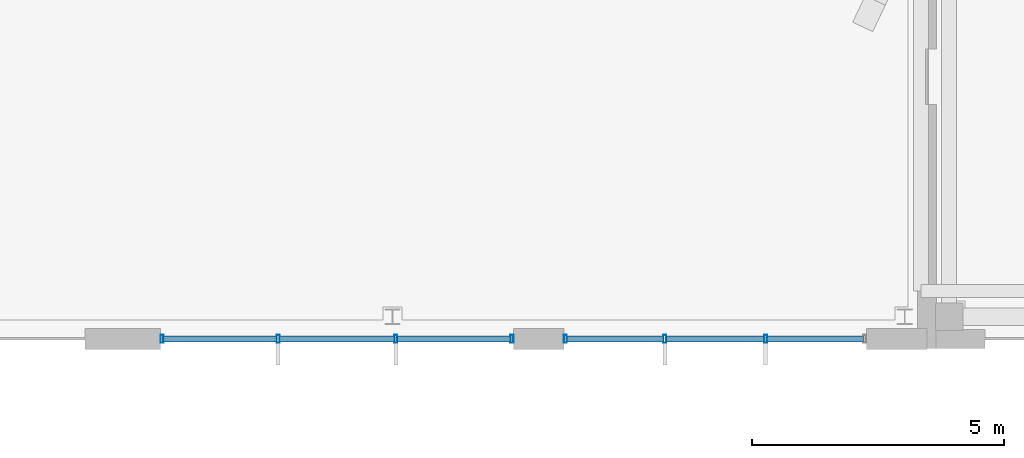
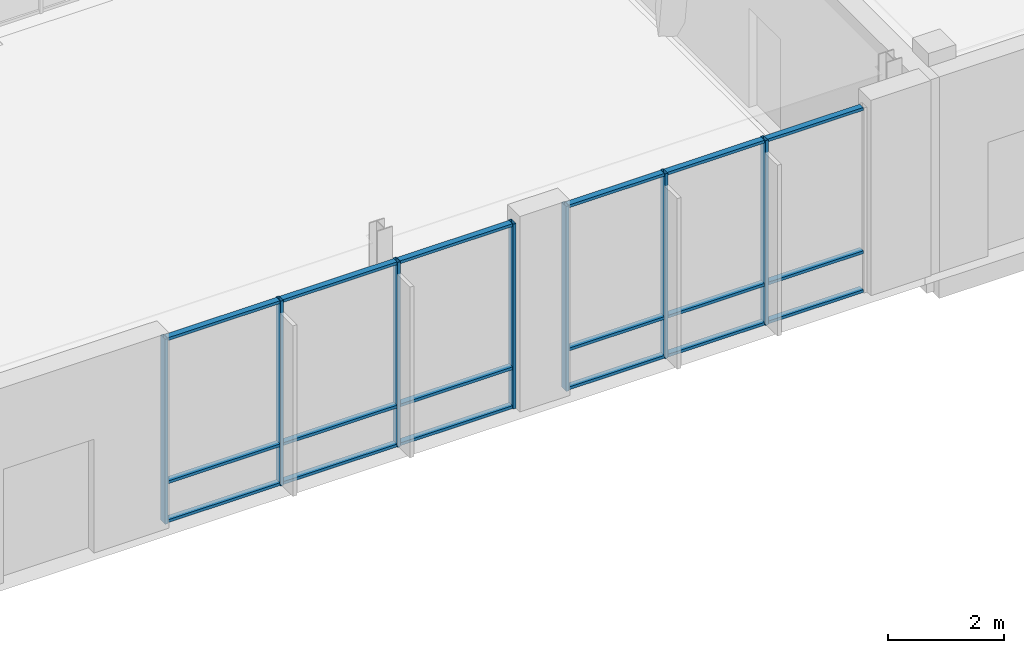
# One storey, part 70 of 233: 25 members, 2 elements without a shape of their own.
"""IFC4 building model written with IfcOpenShell, lengths in metres."""

import ifcopenshell
import ifcopenshell.guid

model = None  # the IFC model being written
_history = None  # IfcOwnerHistory: only IFC2X3 demands one
_inside = {}  # id of a spatial element -> (the spatial element, [elements in it])
_under = {}  # id of a project, library or spatial element -> (it, [spatial elements below it])
_declared = {}  # id of a project -> (the project, [libraries it declares])
_typed = {}  # id of a type object -> (the type object, [elements of that type])
_made_of = {}  # id of a material, layer set ... -> (it, [elements and type objects made of it])


def new_model(schema):
    """Start an empty IFC model of exactly this schema.

    Asked for "IFC4X3", IfcOpenShell would pick the latest addendum, in which some entities
    have other attributes; the version numbers below select the first issue.
    IFC2X3 requires an IfcOwnerHistory on every rooted entity: one is made here for all.
    """
    global model, _history
    if schema == "IFC4X3":
        model = ifcopenshell.file(schema_version=(4, 3, 0, 0))
    else:
        model = ifcopenshell.file(schema=schema)
    _inside.clear()
    _under.clear()
    _declared.clear()
    _typed.clear()
    _made_of.clear()
    _history = None
    if model.schema == "IFC2X3":
        org = make("IfcOrganization", Name="unknown")
        user = make(
            "IfcPersonAndOrganization",
            ThePerson=make("IfcPerson", FamilyName="unknown"),
            TheOrganization=org,
        )
        app = make(
            "IfcApplication",
            ApplicationDeveloper=org,
            Version="unknown",
            ApplicationFullName="unknown",
            ApplicationIdentifier="unknown",
        )
        _history = make(
            "IfcOwnerHistory",
            OwningUser=user,
            OwningApplication=app,
            ChangeAction="ADDED",
            CreationDate=0,
        )
    return model


def make(cls, **values):
    """One entity of the class cls with the attributes given. An attribute that is None is left unset."""
    return model.create_entity(
        cls, **{name: value for name, value in values.items() if value is not None}
    )


def rooted(cls, **values):
    """An entity with a GlobalId (a new one), such as an element, a storey or a relation."""
    return make(cls, GlobalId=ifcopenshell.guid.new(), OwnerHistory=_history, **values)


def si_unit(unit_type, name, prefix=None):
    """IfcSIUnit, for example si_unit("LENGTHUNIT", "METRE", prefix="MILLI")."""
    return make("IfcSIUnit", UnitType=unit_type, Prefix=prefix, Name=name)


def assignment(units):
    """IfcUnitAssignment: the units of a project."""
    return None if units is None else make("IfcUnitAssignment", Units=units)


def point(xyz):
    """IfcCartesianPoint."""
    return None if xyz is None else make("IfcCartesianPoint", Coordinates=xyz)


def direction(xyz):
    """IfcDirection."""
    return None if xyz is None else make("IfcDirection", DirectionRatios=xyz)


def frame(location, z_axis=None, x_axis=None):
    """IfcAxis2Placement3D, a coordinate frame: its origin and axes. An axis left out is left unset."""
    return make(
        "IfcAxis2Placement3D",
        Location=point(location),
        Axis=direction(z_axis),
        RefDirection=direction(x_axis),
    )


def frame_2d(location, x_axis=None):
    """IfcAxis2Placement2D, a coordinate frame in the plane: its origin and x axis."""
    return make(
        "IfcAxis2Placement2D", Location=point(location), RefDirection=direction(x_axis)
    )


def origin():
    """The frame at (0, 0, 0) with its axes left unset."""
    return frame((0.0, 0.0, 0.0))


def origin_2d():
    """The frame at (0, 0) in the plane with its x axis left unset."""
    return frame_2d((0.0, 0.0))


def place(relative_to, where):
    """IfcLocalPlacement: puts the frame where relative to a parent placement (None: the world)."""
    return make(
        "IfcLocalPlacement", PlacementRelTo=relative_to, RelativePlacement=where
    )


def context(
    kind, dimensions, precision=None, world=None, true_north=None, identifier=None
):
    """IfcGeometricRepresentationContext, for example the 3D "Model" context."""
    return make(
        "IfcGeometricRepresentationContext",
        ContextIdentifier=identifier,
        ContextType=kind,
        CoordinateSpaceDimension=dimensions,
        Precision=precision,
        WorldCoordinateSystem=world,
        TrueNorth=true_north,
    )


def subcontext(parent, identifier, kind, view, scale=None):
    """IfcGeometricRepresentationSubContext, for example "Body" below "Model"."""
    return make(
        "IfcGeometricRepresentationSubContext",
        ContextIdentifier=identifier,
        ContextType=kind,
        ParentContext=parent,
        TargetScale=scale,
        TargetView=view,
    )


def project(units=None, contexts=None):
    """IfcProject with its units and contexts."""
    return rooted(
        "IfcProject",
        Name="project",
        RepresentationContexts=contexts,
        UnitsInContext=assignment(units),
    )


def spatial(cls, under=None, at=None, **own):
    """A site, building, storey or space (cls), placed at a placement, below another one or the project."""
    s = rooted(cls, ObjectPlacement=at, **own)
    if under is not None:
        _under.setdefault(under.id(), (under, []))[1].append(s)
    return s


def profile(cls, at=None, kind="AREA", **sizes):
    """A parametric profile (cls). Its sizes go by their IFC names, for example OverallWidth=200.0."""
    return make(cls, ProfileType=kind, Position=at, **sizes)


def hollow_rectangle(**sizes):
    """IfcRectangleHollowProfileDef."""
    return profile("IfcRectangleHollowProfileDef", **sizes)


def extrude(swept, where, along, depth):
    """IfcExtrudedAreaSolid: the profile swept, set in the frame where, extruded along a direction by depth."""
    return make(
        "IfcExtrudedAreaSolid",
        SweptArea=swept,
        Position=where,
        ExtrudedDirection=direction(along),
        Depth=depth,
    )


def shape(context_of_items, identifier, shape_type, items):
    """IfcShapeRepresentation: the items that make up one representation, for example the "Body"."""
    return make(
        "IfcShapeRepresentation",
        ContextOfItems=context_of_items,
        RepresentationIdentifier=identifier,
        RepresentationType=shape_type,
        Items=items,
    )


def material(Name=None, Category=None):
    """IfcMaterial."""
    return make("IfcMaterial", Name=Name, Category=Category)


def material_profile(
    of_material, cross_section, Name=None, Category=None, Priority=None
):
    """IfcMaterialProfile: a cross section and its material."""
    return make(
        "IfcMaterialProfile",
        Name=Name,
        Material=of_material,
        Profile=cross_section,
        Priority=Priority,
        Category=Category,
    )


def profile_set(profiles, Name=None, composite=None):
    """IfcMaterialProfileSet."""
    return make(
        "IfcMaterialProfileSet",
        Name=Name,
        MaterialProfiles=profiles,
        CompositeProfile=composite,
    )


def made_of(thing, what):
    """Note that an element or type object is made of a material, layer set ...; save() writes the relation."""
    if what is not None:
        _made_of.setdefault(what.id(), (what, []))[1].append(thing)
    return thing


def type_object(cls, material=None, **own):
    """A type object (cls), such as IfcWallType, which elements share."""
    return made_of(rooted(cls, **own), material)


def element(
    cls,
    number,
    at=None,
    inside=None,
    cuts=None,
    type_object=None,
    material=None,
    context=None,
    identifier="Body",
    shape_type=None,
    held_by="IfcProductDefinitionShape",
    body=None,
    shapes=None,
    **own,
):
    """One element of the class cls, such as IfcWall. Its Tag is "e" and its number.

    at: its placement. inside: the storey or other place that contains it. cuts: it is an
    opening in that element (IfcRelVoidsElement). A single representation is given by context,
    identifier, shape_type and body (its items); several are given by shapes. held_by: the class
    of the entity that holds the representations. save() writes the other relations.
    """
    e = rooted(cls, Tag="e%d" % number, ObjectPlacement=at, **own)
    if body is not None:
        shapes = [shape(context, identifier, shape_type, body)]
    if shapes is not None:
        e.Representation = make(held_by, Representations=shapes)
    if inside is not None:
        _inside.setdefault(inside.id(), (inside, []))[1].append(e)
    if cuts is not None:
        rooted(
            "IfcRelVoidsElement", RelatingBuildingElement=cuts, RelatedOpeningElement=e
        )
    if type_object is not None:
        _typed.setdefault(type_object.id(), (type_object, []))[1].append(e)
    return made_of(e, material)


def aggregate(whole, parts):
    """IfcRelAggregates: a whole, such as a stair, and the parts it consists of."""
    return rooted("IfcRelAggregates", RelatingObject=whole, RelatedObjects=parts)


def save(model, path):
    """Write the relations noted so far, then the file.

    IfcRelAggregates (storeys below a building ...), IfcRelContainedInSpatialStructure (elements
    in a storey), IfcRelDefinesByType, IfcRelAssociatesMaterial and IfcRelDeclares: one each for
    every whole, place, type object, material and project.
    """
    for whole, parts in _under.values():
        aggregate(whole, parts)
    for where, things in _inside.values():
        rooted(
            "IfcRelContainedInSpatialStructure",
            RelatedElements=things,
            RelatingStructure=where,
        )
    for kind, things in _typed.values():
        rooted("IfcRelDefinesByType", RelatedObjects=things, RelatingType=kind)
    for what, things in _made_of.values():
        rooted("IfcRelAssociatesMaterial", RelatedObjects=things, RelatingMaterial=what)
    for by, libraries in _declared.values():
        rooted("IfcRelDeclares", RelatingContext=by, RelatedDefinitions=libraries)
    model.write(path)


model = new_model("IFC4")

# Units and contexts
model_context = context("Model", 3, precision=1e-05, world=origin(), true_north=direction((0.0, 1.0)))
body_context = subcontext(model_context, "Body", "Model", "MODEL_VIEW")
ifc_project = project(units=[si_unit("LENGTHUNIT", "METRE"), si_unit("AREAUNIT", "SQUARE_METRE"), si_unit("VOLUMEUNIT", "CUBIC_METRE"), si_unit("PLANEANGLEUNIT", "RADIAN"), si_unit("MASSUNIT", "GRAM", prefix="KILO")], contexts=[model_context])

# Site, building, storey
site_placement = place(None, origin())
site = spatial("IfcSite", under=ifc_project, at=site_placement, CompositionType="ELEMENT")
building_placement = place(site_placement, origin())
building = spatial("IfcBuilding", under=site, at=building_placement, Name="Zavelmont Quarter", CompositionType="ELEMENT")
storey_placement = place(building_placement, origin())
storey = spatial("IfcBuildingStorey", under=building, at=storey_placement, Name="L00", CompositionType="ELEMENT", Elevation=0.0)

# Curtain wall, members
ifc_material_1 = material(Name="Thermally broken aluminium and double low-E safety glazing", Category="aluminium")
curtain_wall_type_1 = type_object("IfcCurtainWallType", Name="CW-700X390", PredefinedType="NOTDEFINED", material=ifc_material_1)
curtain_wall_1_placement = place(storey_placement, origin())
curtain_wall_1 = element("IfcCurtainWall", 1, at=curtain_wall_1_placement, inside=storey, type_object=curtain_wall_type_1, Name="L00 unitised curtain wall CW-700X390", PredefinedType="NOTDEFINED")
ifc_material_2 = material(Name="Powder-coated aluminium EN AW-6063-T6", Category="aluminium")
ifc_material_profile_1 = material_profile(ifc_material_2, hollow_rectangle(XDim=0.06005859375, YDim=0.159912109375, WallThickness=0.00390625, at=origin_2d()), Name="CWM60X160")
ifc_profile_set_1 = profile_set([ifc_material_profile_1], Name="Powder-coated aluminium EN AW-6063-T6")
member_type_1 = type_object("IfcMemberType", Name="CWM01", PredefinedType="MULLION", material=ifc_profile_set_1)
member_1_placement = place(storey_placement, frame((97.6298828125, 0.0, 0.0), z_axis=(0.0, 0.0, 1.0), x_axis=(1.0, 0.0, 0.0)))
member_1 = element("IfcMember", 2, at=member_1_placement, type_object=member_type_1, Name="CW-700X390 mullion 1", PredefinedType="MULLION", context=body_context, shape_type="SweptSolid", body=[
    extrude(hollow_rectangle(XDim=0.06005859375, YDim=0.159912109375, WallThickness=0.00390625, at=origin_2d()), origin(), (0.0, 0.0, 1.0), 3.89990234375),
])
member_2_placement = place(storey_placement, frame((99.933349609375, 0.0, 0.0), z_axis=(0.0, 0.0, 1.0), x_axis=(1.0, 0.0, 0.0)))
member_2 = element("IfcMember", 3, at=member_2_placement, type_object=member_type_1, Name="CW-700X390 mullion 2", PredefinedType="MULLION", context=body_context, shape_type="SweptSolid", body=[
    extrude(hollow_rectangle(XDim=0.06005859375, YDim=0.159912109375, WallThickness=0.00390625, at=origin_2d()), origin(), (0.0, 0.0, 1.0), 3.89990234375),
])
member_3_placement = place(storey_placement, frame((102.2666015625, 0.0, 0.0), z_axis=(0.0, 0.0, 1.0), x_axis=(1.0, 0.0, 0.0)))
member_3 = element("IfcMember", 4, at=member_3_placement, type_object=member_type_1, Name="CW-700X390 mullion 3", PredefinedType="MULLION", context=body_context, shape_type="SweptSolid", body=[
    extrude(hollow_rectangle(XDim=0.06005859375, YDim=0.159912109375, WallThickness=0.00390625, at=origin_2d()), origin(), (0.0, 0.0, 1.0), 3.89990234375),
])
member_4_placement = place(storey_placement, frame((104.570068359375, 0.0, 0.0), z_axis=(0.0, 0.0, 1.0), x_axis=(1.0, 0.0, 0.0)))
member_4 = element("IfcMember", 5, at=member_4_placement, type_object=member_type_1, Name="CW-700X390 mullion 4", PredefinedType="MULLION", context=body_context, shape_type="SweptSolid", body=[
    extrude(hollow_rectangle(XDim=0.06005859375, YDim=0.159912109375, WallThickness=0.00390625, at=origin_2d()), origin(), (0.0, 0.0, 1.0), 3.89990234375),
])

curtain_wall_type_2 = type_object("IfcCurtainWallType", Name="CW-600X390", PredefinedType="NOTDEFINED", material=ifc_material_1)
curtain_wall_2_placement = place(storey_placement, origin())
curtain_wall_2 = element("IfcCurtainWall", 6, at=curtain_wall_2_placement, inside=storey, type_object=curtain_wall_type_2, Name="L00 unitised curtain wall CW-600X390", PredefinedType="NOTDEFINED")
member_5_placement = place(storey_placement, frame((105.6298828125, 0.0, 0.0), z_axis=(0.0, 0.0, 1.0), x_axis=(1.0, 0.0, 0.0)))
member_5 = element("IfcMember", 7, at=member_5_placement, type_object=member_type_1, Name="CW-600X390 mullion 1", PredefinedType="MULLION", context=body_context, shape_type="SweptSolid", body=[
    extrude(hollow_rectangle(XDim=0.06005859375, YDim=0.159912109375, WallThickness=0.00390625, at=origin_2d()), origin(), (0.0, 0.0, 1.0), 3.89990234375),
])
member_6_placement = place(storey_placement, frame((107.60009765625, 0.0, 0.0), z_axis=(0.0, 0.0, 1.0), x_axis=(1.0, 0.0, 0.0)))
member_6 = element("IfcMember", 8, at=member_6_placement, type_object=member_type_1, Name="CW-600X390 mullion 2", PredefinedType="MULLION", context=body_context, shape_type="SweptSolid", body=[
    extrude(hollow_rectangle(XDim=0.06005859375, YDim=0.159912109375, WallThickness=0.00390625, at=origin_2d()), origin(), (0.0, 0.0, 1.0), 3.89990234375),
])
member_7_placement = place(storey_placement, frame((109.60009765625, 0.0, 0.0), z_axis=(0.0, 0.0, 1.0), x_axis=(1.0, 0.0, 0.0)))
member_7 = element("IfcMember", 9, at=member_7_placement, type_object=member_type_1, Name="CW-600X390 mullion 3", PredefinedType="MULLION", context=body_context, shape_type="SweptSolid", body=[
    extrude(hollow_rectangle(XDim=0.06005859375, YDim=0.159912109375, WallThickness=0.00390625, at=origin_2d()), origin(), (0.0, 0.0, 1.0), 3.89990234375),
])

# Member
ifc_material_profile_2 = material_profile(ifc_material_2, hollow_rectangle(XDim=0.1201171875, YDim=0.06005859375, WallThickness=0.00390625, at=origin_2d()), Name="CWT60X120")
ifc_profile_set_2 = profile_set([ifc_material_profile_2], Name="Powder-coated aluminium EN AW-6063-T6")
member_type_2 = type_object("IfcMemberType", Name="CWT01", PredefinedType="NOTDEFINED", material=ifc_profile_set_2)
member_8_placement = place(storey_placement, frame((97.659912109375, 0.0, 0.030029296875), z_axis=(1.0, 0.0, 0.0), x_axis=(0.0, 1.0, 0.0)))
member_8 = element("IfcMember", 10, at=member_8_placement, type_object=member_type_2, Name="CW-700X390 transom 1.1", ObjectType="TRANSOM", PredefinedType="USERDEFINED", context=body_context, shape_type="SweptSolid", body=[
    extrude(hollow_rectangle(XDim=0.1201171875, YDim=0.06005859375, WallThickness=0.00390625, at=origin_2d()), origin(), (0.0, 0.0, 1.0), 2.243408203125),
])

member_9_placement = place(storey_placement, frame((97.659912109375, 0.0, 0.85009765625), z_axis=(1.0, 0.0, 0.0), x_axis=(0.0, 1.0, 0.0)))
member_9 = element("IfcMember", 11, at=member_9_placement, type_object=member_type_2, Name="CW-700X390 transom 1.2", ObjectType="TRANSOM", PredefinedType="USERDEFINED", context=body_context, shape_type="SweptSolid", body=[
    extrude(hollow_rectangle(XDim=0.1201171875, YDim=0.06005859375, WallThickness=0.00390625, at=origin_2d()), origin(), (0.0, 0.0, 1.0), 2.243408203125),
])

member_10_placement = place(storey_placement, frame((97.659912109375, 0.0, 3.8701171875), z_axis=(1.0, 0.0, 0.0), x_axis=(0.0, 1.0, 0.0)))
member_10 = element("IfcMember", 12, at=member_10_placement, type_object=member_type_2, Name="CW-700X390 transom 1.3", ObjectType="TRANSOM", PredefinedType="USERDEFINED", context=body_context, shape_type="SweptSolid", body=[
    extrude(hollow_rectangle(XDim=0.1201171875, YDim=0.06005859375, WallThickness=0.00390625, at=origin_2d()), origin(), (0.0, 0.0, 1.0), 2.243408203125),
])

member_11_placement = place(storey_placement, frame((99.96337890625, 0.0, 0.030029296875), z_axis=(1.0, 0.0, 0.0), x_axis=(0.0, 1.0, 0.0)))
member_11 = element("IfcMember", 13, at=member_11_placement, type_object=member_type_2, Name="CW-700X390 transom 2.1", ObjectType="TRANSOM", PredefinedType="USERDEFINED", context=body_context, shape_type="SweptSolid", body=[
    extrude(hollow_rectangle(XDim=0.1201171875, YDim=0.06005859375, WallThickness=0.00390625, at=origin_2d()), origin(), (0.0, 0.0, 1.0), 2.273193359375),
])

member_12_placement = place(storey_placement, frame((99.96337890625, 0.0, 0.85009765625), z_axis=(1.0, 0.0, 0.0), x_axis=(0.0, 1.0, 0.0)))
member_12 = element("IfcMember", 14, at=member_12_placement, type_object=member_type_2, Name="CW-700X390 transom 2.2", ObjectType="TRANSOM", PredefinedType="USERDEFINED", context=body_context, shape_type="SweptSolid", body=[
    extrude(hollow_rectangle(XDim=0.1201171875, YDim=0.06005859375, WallThickness=0.00390625, at=origin_2d()), origin(), (0.0, 0.0, 1.0), 2.273193359375),
])

member_13_placement = place(storey_placement, frame((99.96337890625, 0.0, 3.8701171875), z_axis=(1.0, 0.0, 0.0), x_axis=(0.0, 1.0, 0.0)))
member_13 = element("IfcMember", 15, at=member_13_placement, type_object=member_type_2, Name="CW-700X390 transom 2.3", ObjectType="TRANSOM", PredefinedType="USERDEFINED", context=body_context, shape_type="SweptSolid", body=[
    extrude(hollow_rectangle(XDim=0.1201171875, YDim=0.06005859375, WallThickness=0.00390625, at=origin_2d()), origin(), (0.0, 0.0, 1.0), 2.273193359375),
])

member_14_placement = place(storey_placement, frame((102.296630859375, 0.0, 0.030029296875), z_axis=(1.0, 0.0, 0.0), x_axis=(0.0, 1.0, 0.0)))
member_14 = element("IfcMember", 16, at=member_14_placement, type_object=member_type_2, Name="CW-700X390 transom 3.1", ObjectType="TRANSOM", PredefinedType="USERDEFINED", context=body_context, shape_type="SweptSolid", body=[
    extrude(hollow_rectangle(XDim=0.1201171875, YDim=0.06005859375, WallThickness=0.00390625, at=origin_2d()), origin(), (0.0, 0.0, 1.0), 2.243408203125),
])

member_15_placement = place(storey_placement, frame((102.296630859375, 0.0, 0.85009765625), z_axis=(1.0, 0.0, 0.0), x_axis=(0.0, 1.0, 0.0)))
member_15 = element("IfcMember", 17, at=member_15_placement, type_object=member_type_2, Name="CW-700X390 transom 3.2", ObjectType="TRANSOM", PredefinedType="USERDEFINED", context=body_context, shape_type="SweptSolid", body=[
    extrude(hollow_rectangle(XDim=0.1201171875, YDim=0.06005859375, WallThickness=0.00390625, at=origin_2d()), origin(), (0.0, 0.0, 1.0), 2.243408203125),
])

member_16_placement = place(storey_placement, frame((102.296630859375, 0.0, 3.8701171875), z_axis=(1.0, 0.0, 0.0), x_axis=(0.0, 1.0, 0.0)))
member_16 = element("IfcMember", 18, at=member_16_placement, type_object=member_type_2, Name="CW-700X390 transom 3.3", ObjectType="TRANSOM", PredefinedType="USERDEFINED", context=body_context, shape_type="SweptSolid", body=[
    extrude(hollow_rectangle(XDim=0.1201171875, YDim=0.06005859375, WallThickness=0.00390625, at=origin_2d()), origin(), (0.0, 0.0, 1.0), 2.243408203125),
])

aggregate(curtain_wall_1, [member_1, member_2, member_3, member_4, member_8, member_9, member_10, member_11, member_12, member_13, member_14, member_15, member_16])

member_17_placement = place(storey_placement, frame((105.659912109375, 0.0, 0.030029296875), z_axis=(1.0, 0.0, 0.0), x_axis=(0.0, 1.0, 0.0)))
member_17 = element("IfcMember", 19, at=member_17_placement, type_object=member_type_2, Name="CW-600X390 transom 1.1", ObjectType="TRANSOM", PredefinedType="USERDEFINED", context=body_context, shape_type="SweptSolid", body=[
    extrude(hollow_rectangle(XDim=0.1201171875, YDim=0.06005859375, WallThickness=0.00390625, at=origin_2d()), origin(), (0.0, 0.0, 1.0), 1.91015625),
])

member_18_placement = place(storey_placement, frame((105.659912109375, 0.0, 0.85009765625), z_axis=(1.0, 0.0, 0.0), x_axis=(0.0, 1.0, 0.0)))
member_18 = element("IfcMember", 20, at=member_18_placement, type_object=member_type_2, Name="CW-600X390 transom 1.2", ObjectType="TRANSOM", PredefinedType="USERDEFINED", context=body_context, shape_type="SweptSolid", body=[
    extrude(hollow_rectangle(XDim=0.1201171875, YDim=0.06005859375, WallThickness=0.00390625, at=origin_2d()), origin(), (0.0, 0.0, 1.0), 1.91015625),
])

member_19_placement = place(storey_placement, frame((105.659912109375, 0.0, 3.8701171875), z_axis=(1.0, 0.0, 0.0), x_axis=(0.0, 1.0, 0.0)))
member_19 = element("IfcMember", 21, at=member_19_placement, type_object=member_type_2, Name="CW-600X390 transom 1.3", ObjectType="TRANSOM", PredefinedType="USERDEFINED", context=body_context, shape_type="SweptSolid", body=[
    extrude(hollow_rectangle(XDim=0.1201171875, YDim=0.06005859375, WallThickness=0.00390625, at=origin_2d()), origin(), (0.0, 0.0, 1.0), 1.91015625),
])

member_20_placement = place(storey_placement, frame((107.6298828125, 0.0, 0.030029296875), z_axis=(1.0, 0.0, 0.0), x_axis=(0.0, 1.0, 0.0)))
member_20 = element("IfcMember", 22, at=member_20_placement, type_object=member_type_2, Name="CW-600X390 transom 2.1", ObjectType="TRANSOM", PredefinedType="USERDEFINED", context=body_context, shape_type="SweptSolid", body=[
    extrude(hollow_rectangle(XDim=0.1201171875, YDim=0.06005859375, WallThickness=0.00390625, at=origin_2d()), origin(), (0.0, 0.0, 1.0), 1.940185546875),
])

member_21_placement = place(storey_placement, frame((107.6298828125, 0.0, 0.85009765625), z_axis=(1.0, 0.0, 0.0), x_axis=(0.0, 1.0, 0.0)))
member_21 = element("IfcMember", 23, at=member_21_placement, type_object=member_type_2, Name="CW-600X390 transom 2.2", ObjectType="TRANSOM", PredefinedType="USERDEFINED", context=body_context, shape_type="SweptSolid", body=[
    extrude(hollow_rectangle(XDim=0.1201171875, YDim=0.06005859375, WallThickness=0.00390625, at=origin_2d()), origin(), (0.0, 0.0, 1.0), 1.940185546875),
])

member_22_placement = place(storey_placement, frame((107.6298828125, 0.0, 3.8701171875), z_axis=(1.0, 0.0, 0.0), x_axis=(0.0, 1.0, 0.0)))
member_22 = element("IfcMember", 24, at=member_22_placement, type_object=member_type_2, Name="CW-600X390 transom 2.3", ObjectType="TRANSOM", PredefinedType="USERDEFINED", context=body_context, shape_type="SweptSolid", body=[
    extrude(hollow_rectangle(XDim=0.1201171875, YDim=0.06005859375, WallThickness=0.00390625, at=origin_2d()), origin(), (0.0, 0.0, 1.0), 1.940185546875),
])

member_23_placement = place(storey_placement, frame((109.6298828125, 0.0, 0.030029296875), z_axis=(1.0, 0.0, 0.0), x_axis=(0.0, 1.0, 0.0)))
member_23 = element("IfcMember", 25, at=member_23_placement, type_object=member_type_2, Name="CW-600X390 transom 3.1", ObjectType="TRANSOM", PredefinedType="USERDEFINED", context=body_context, shape_type="SweptSolid", body=[
    extrude(hollow_rectangle(XDim=0.1201171875, YDim=0.06005859375, WallThickness=0.00390625, at=origin_2d()), origin(), (0.0, 0.0, 1.0), 1.91015625),
])

member_24_placement = place(storey_placement, frame((109.6298828125, 0.0, 0.85009765625), z_axis=(1.0, 0.0, 0.0), x_axis=(0.0, 1.0, 0.0)))
member_24 = element("IfcMember", 26, at=member_24_placement, type_object=member_type_2, Name="CW-600X390 transom 3.2", ObjectType="TRANSOM", PredefinedType="USERDEFINED", context=body_context, shape_type="SweptSolid", body=[
    extrude(hollow_rectangle(XDim=0.1201171875, YDim=0.06005859375, WallThickness=0.00390625, at=origin_2d()), origin(), (0.0, 0.0, 1.0), 1.91015625),
])

member_25_placement = place(storey_placement, frame((109.6298828125, 0.0, 3.8701171875), z_axis=(1.0, 0.0, 0.0), x_axis=(0.0, 1.0, 0.0)))
member_25 = element("IfcMember", 27, at=member_25_placement, type_object=member_type_2, Name="CW-600X390 transom 3.3", ObjectType="TRANSOM", PredefinedType="USERDEFINED", context=body_context, shape_type="SweptSolid", body=[
    extrude(hollow_rectangle(XDim=0.1201171875, YDim=0.06005859375, WallThickness=0.00390625, at=origin_2d()), origin(), (0.0, 0.0, 1.0), 1.91015625),
])

aggregate(curtain_wall_2, [member_5, member_6, member_7, member_17, member_18, member_19, member_20, member_21, member_22, member_23, member_24, member_25])

save(model, "model.ifc")
